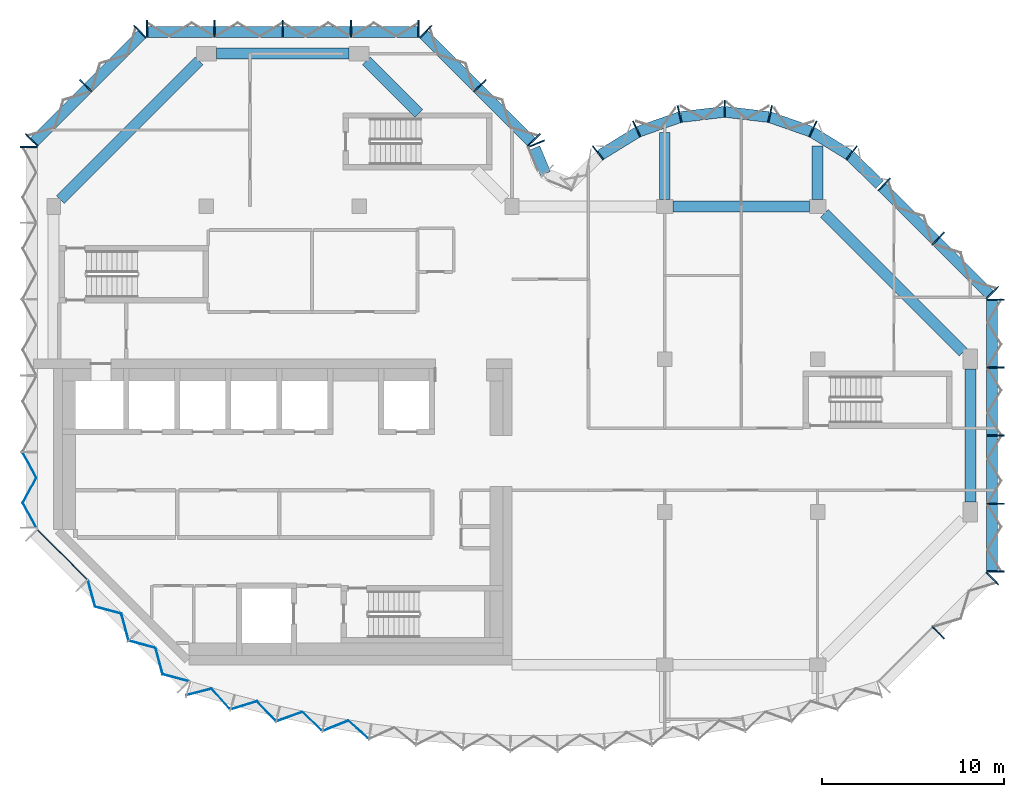
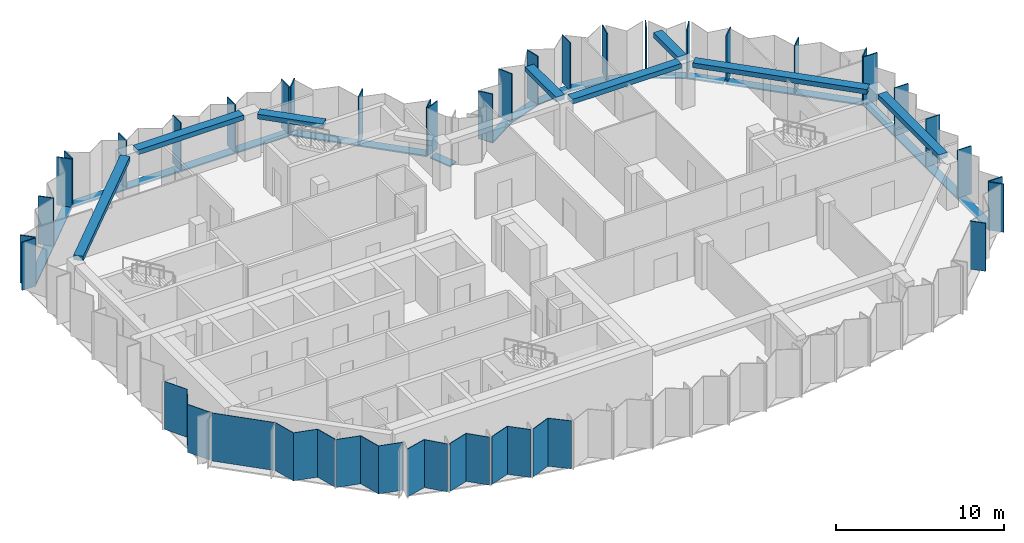
# One storey, part 2 of 10: 43 members, 8 beams, 8 plates, 11 elements without a shape of their own.
"""IFC4 building model written with IfcOpenShell, lengths in metres."""

from ifc_helpers import new_model, si_unit, direction, frame, origin, origin_2d, place, context, subcontext, project, spatial, polyline, rectangle, outline, extrude, material, layer, layer_set, material_profile, profile_set, type_object, element, aggregate, save


model = new_model("IFC4")

# Units and contexts
model_context = context("Model", 3, precision=1e-05, world=origin(), true_north=direction((0.0, 1.0)))
body_context = subcontext(model_context, "Body", "Model", "MODEL_VIEW")
ifc_project = project(units=[si_unit("LENGTHUNIT", "METRE"), si_unit("AREAUNIT", "SQUARE_METRE"), si_unit("VOLUMEUNIT", "CUBIC_METRE"), si_unit("PLANEANGLEUNIT", "RADIAN"), si_unit("MASSUNIT", "GRAM", prefix="KILO")], contexts=[model_context])

# Site, building, storey
site_placement = place(None, origin())
site = spatial("IfcSite", under=ifc_project, at=site_placement, CompositionType="ELEMENT")
building_placement = place(site_placement, origin())
building = spatial("IfcBuilding", under=site, at=building_placement, Name="Brevane Broadcast Tower", CompositionType="ELEMENT")
storey_placement = place(building_placement, frame((0.0, 0.0, 230.10009765625)))
storey = spatial("IfcBuildingStorey", under=building, at=storey_placement, Name="L58", CompositionType="ELEMENT", Elevation=230.10009765625)

# Curtain wall, members
ifc_material_1 = material(Name="Aluminium 6063-T6 bronze anodised", Category="aluminium")
curtain_wall_type = type_object("IfcCurtainWallType", Name="CW-1 curtain wall", PredefinedType="NOTDEFINED", material=ifc_material_1)
curtain_wall_1_placement = place(storey_placement, origin())
curtain_wall_1 = element("IfcCurtainWall", 1, at=curtain_wall_1_placement, inside=storey, type_object=curtain_wall_type, Name="CW-1 typical tilted unit L58 south-east chamfer", PredefinedType="NOTDEFINED")
ifc_material_profile_1 = material_profile(ifc_material_1, rectangle(XDim=0.949951171875, YDim=0.070068359375, at=origin_2d()), Name="RECT 70x950")
ifc_profile_set_1 = profile_set([ifc_material_profile_1], Name="Aluminium 6063-T6 bronze anodised")
member_type_1 = type_object("IfcMemberType", Name="CW-1 mullion 70x950", PredefinedType="MULLION", material=ifc_profile_set_1)
member_1_placement = place(storey_placement, frame((48.635986328125, 1.76416015625, -0.150146484375), z_axis=(0.0, 0.0, 1.0), x_axis=(-0.707106781187, 0.707106781187, 0.0)))
member_1 = element("IfcMember", 2, at=member_1_placement, type_object=member_type_1, Name="CW-1 mullion", PredefinedType="MULLION", context=body_context, shape_type="SweptSolid", body=[
    extrude(rectangle(XDim=0.949951171875, YDim=0.070068359375, at=origin_2d()), origin(), (0.0, 0.0, 1.0), 3.5),
])
member_2_placement = place(storey_placement, frame((51.611083984375, 4.7392578125, -0.150146484375), z_axis=(0.0, 0.0, 1.0), x_axis=(-0.707106781187, 0.707106781187, 0.0)))
member_2 = element("IfcMember", 3, at=member_2_placement, type_object=member_type_1, Name="CW-1 mullion", PredefinedType="MULLION", context=body_context, shape_type="SweptSolid", body=[
    extrude(rectangle(XDim=0.949951171875, YDim=0.070068359375, at=origin_2d()), origin(), (0.0, 0.0, 1.0), 3.5),
])
aggregate(curtain_wall_1, [member_1, member_2])

curtain_wall_2_placement = place(storey_placement, origin())
curtain_wall_2 = element("IfcCurtainWall", 4, at=curtain_wall_2_placement, inside=storey, type_object=curtain_wall_type, Name="CW-1 typical tilted unit L58 east end", PredefinedType="NOTDEFINED")
member_3_placement = place(storey_placement, frame((51.77490234375, 5.135009765625, -0.150146484375), z_axis=(0.0, 0.0, 1.0), x_axis=(-1.0, 0.0, 0.0)))
member_3 = element("IfcMember", 5, at=member_3_placement, type_object=member_type_1, Name="CW-1 mullion", PredefinedType="MULLION", context=body_context, shape_type="SweptSolid", body=[
    extrude(rectangle(XDim=0.949951171875, YDim=0.070068359375, at=origin_2d()), origin(), (0.0, 0.0, 1.0), 3.5),
])
member_4_placement = place(storey_placement, frame((51.77490234375, 8.85009765625, -0.150146484375), z_axis=(0.0, 0.0, 1.0), x_axis=(-1.0, 0.0, 0.0)))
member_4 = element("IfcMember", 6, at=member_4_placement, type_object=member_type_1, Name="CW-1 mullion", PredefinedType="MULLION", context=body_context, shape_type="SweptSolid", body=[
    extrude(rectangle(XDim=0.949951171875, YDim=0.070068359375, at=origin_2d()), origin(), (0.0, 0.0, 1.0), 3.5),
])
member_5_placement = place(storey_placement, frame((51.77490234375, 12.60009765625, -0.150146484375), z_axis=(0.0, 0.0, 1.0), x_axis=(-1.0, 0.0, 0.0)))
member_5 = element("IfcMember", 7, at=member_5_placement, type_object=member_type_1, Name="CW-1 mullion", PredefinedType="MULLION", context=body_context, shape_type="SweptSolid", body=[
    extrude(rectangle(XDim=0.949951171875, YDim=0.070068359375, at=origin_2d()), origin(), (0.0, 0.0, 1.0), 3.5),
])
member_6_placement = place(storey_placement, frame((51.77490234375, 16.35009765625, -0.150146484375), z_axis=(0.0, 0.0, 1.0), x_axis=(-1.0, 0.0, 0.0)))
member_6 = element("IfcMember", 8, at=member_6_placement, type_object=member_type_1, Name="CW-1 mullion", PredefinedType="MULLION", context=body_context, shape_type="SweptSolid", body=[
    extrude(rectangle(XDim=0.949951171875, YDim=0.070068359375, at=origin_2d()), origin(), (0.0, 0.0, 1.0), 3.5),
])
member_7_placement = place(storey_placement, frame((51.77490234375, 20.06494140625, -0.150146484375), z_axis=(0.0, 0.0, 1.0), x_axis=(-1.0, 0.0, 0.0)))
member_7 = element("IfcMember", 9, at=member_7_placement, type_object=member_type_1, Name="CW-1 mullion", PredefinedType="MULLION", context=body_context, shape_type="SweptSolid", body=[
    extrude(rectangle(XDim=0.949951171875, YDim=0.070068359375, at=origin_2d()), origin(), (0.0, 0.0, 1.0), 3.5),
])

curtain_wall_3_placement = place(storey_placement, origin())
curtain_wall_3 = element("IfcCurtainWall", 10, at=curtain_wall_3_placement, inside=storey, type_object=curtain_wall_type, Name="CW-1 typical tilted unit L58 north-east chamfer", PredefinedType="NOTDEFINED")
member_8_placement = place(storey_placement, frame((51.611083984375, 20.460693359375, -0.150146484375), z_axis=(0.0, 0.0, 1.0), x_axis=(-0.707106781187, -0.707106781187, 0.0)))
member_8 = element("IfcMember", 11, at=member_8_placement, type_object=member_type_1, Name="CW-1 mullion", PredefinedType="MULLION", context=body_context, shape_type="SweptSolid", body=[
    extrude(rectangle(XDim=0.949951171875, YDim=0.070068359375, at=origin_2d()), origin(), (0.0, 0.0, 1.0), 3.5),
])
member_9_placement = place(storey_placement, frame((48.635986328125, 23.435791015625, -0.150146484375), z_axis=(0.0, 0.0, 1.0), x_axis=(-0.707106781187, -0.707106781187, 0.0)))
member_9 = element("IfcMember", 12, at=member_9_placement, type_object=member_type_1, Name="CW-1 mullion", PredefinedType="MULLION", context=body_context, shape_type="SweptSolid", body=[
    extrude(rectangle(XDim=0.949951171875, YDim=0.070068359375, at=origin_2d()), origin(), (0.0, 0.0, 1.0), 3.5),
])
member_10_placement = place(storey_placement, frame((45.66064453125, 26.4111328125, -0.150146484375), z_axis=(0.0, 0.0, 1.0), x_axis=(-0.707106781187, -0.707106781187, 0.0)))
member_10 = element("IfcMember", 13, at=member_10_placement, type_object=member_type_1, Name="CW-1 mullion", PredefinedType="MULLION", context=body_context, shape_type="SweptSolid", body=[
    extrude(rectangle(XDim=0.949951171875, YDim=0.070068359375, at=origin_2d()), origin(), (0.0, 0.0, 1.0), 3.5),
])

curtain_wall_4_placement = place(storey_placement, origin())
curtain_wall_4 = element("IfcCurtainWall", 14, at=curtain_wall_4_placement, inside=storey, type_object=curtain_wall_type, Name="CW-1 typical tilted unit L58 east bow", PredefinedType="NOTDEFINED")
member_11_placement = place(storey_placement, frame((43.8720703125, 28.1455078125, -0.150146484375), z_axis=(0.0, 0.0, 1.0), x_axis=(-0.614769698862, -0.788706673841, 0.0)))
member_11 = element("IfcMember", 15, at=member_11_placement, type_object=member_type_1, Name="CW-1 mullion", PredefinedType="MULLION", context=body_context, shape_type="SweptSolid", body=[
    extrude(rectangle(XDim=0.949951171875, YDim=0.070068359375, at=origin_2d()), origin(), (0.0, 0.0, 1.0), 3.5),
])
member_12_placement = place(storey_placement, frame((41.746826171875, 29.4580078125, -0.150146484375), z_axis=(0.0, 0.0, 1.0), x_axis=(-0.429933580394, -0.902860518823, 0.0)))
member_12 = element("IfcMember", 16, at=member_12_placement, type_object=member_type_1, Name="CW-1 mullion", PredefinedType="MULLION", context=body_context, shape_type="SweptSolid", body=[
    extrude(rectangle(XDim=0.949951171875, YDim=0.070068359375, at=origin_2d()), origin(), (0.0, 0.0, 1.0), 3.5),
])
member_13_placement = place(storey_placement, frame((39.38818359375, 30.28076171875, -0.150146484375), z_axis=(0.0, 0.0, 1.0), x_axis=(-0.224806535479, -0.974403418306, 0.0)))
member_13 = element("IfcMember", 17, at=member_13_placement, type_object=member_type_1, Name="CW-1 mullion", PredefinedType="MULLION", context=body_context, shape_type="SweptSolid", body=[
    extrude(rectangle(XDim=0.949951171875, YDim=0.070068359375, at=origin_2d()), origin(), (0.0, 0.0, 1.0), 3.5),
])
member_14_placement = place(storey_placement, frame((36.89990234375, 30.574951171875, -0.150146484375), z_axis=(0.0, 0.0, 1.0), x_axis=(0.0, -1.0, 0.0)))
member_14 = element("IfcMember", 18, at=member_14_placement, type_object=member_type_1, Name="CW-1 mullion", PredefinedType="MULLION", context=body_context, shape_type="SweptSolid", body=[
    extrude(rectangle(XDim=0.949951171875, YDim=0.070068359375, at=origin_2d()), origin(), (0.0, 0.0, 1.0), 3.5),
])
member_15_placement = place(storey_placement, frame((34.411865234375, 30.28076171875, -0.150146484375), z_axis=(0.0, 0.0, 1.0), x_axis=(0.224806535479, -0.974403418306, 0.0)))
member_15 = element("IfcMember", 19, at=member_15_placement, type_object=member_type_1, Name="CW-1 mullion", PredefinedType="MULLION", context=body_context, shape_type="SweptSolid", body=[
    extrude(rectangle(XDim=0.949951171875, YDim=0.070068359375, at=origin_2d()), origin(), (0.0, 0.0, 1.0), 3.5),
])
member_16_placement = place(storey_placement, frame((32.05322265625, 29.4580078125, -0.150146484375), z_axis=(0.0, 0.0, 1.0), x_axis=(0.429933580394, -0.902860518823, 0.0)))
member_16 = element("IfcMember", 20, at=member_16_placement, type_object=member_type_1, Name="CW-1 mullion", PredefinedType="MULLION", context=body_context, shape_type="SweptSolid", body=[
    extrude(rectangle(XDim=0.949951171875, YDim=0.070068359375, at=origin_2d()), origin(), (0.0, 0.0, 1.0), 3.5),
])
member_17_placement = place(storey_placement, frame((29.927978515625, 28.1455078125, -0.150146484375), z_axis=(0.0, 0.0, 1.0), x_axis=(0.614769698862, -0.788706673841, 0.0)))
member_17 = element("IfcMember", 21, at=member_17_placement, type_object=member_type_1, Name="CW-1 mullion", PredefinedType="MULLION", context=body_context, shape_type="SweptSolid", body=[
    extrude(rectangle(XDim=0.949951171875, YDim=0.070068359375, at=origin_2d()), origin(), (0.0, 0.0, 1.0), 3.5),
])

# Curtain wall, member
curtain_wall_5_placement = place(storey_placement, origin())
curtain_wall_5 = element("IfcCurtainWall", 22, at=curtain_wall_5_placement, inside=storey, type_object=curtain_wall_type, Name="CW-1 typical tilted unit L58 inner corner", PredefinedType="NOTDEFINED")
member_18_placement = place(storey_placement, frame((26.55224609375, 28.6494140625, -0.150146484375), z_axis=(0.0, 0.0, 1.0), x_axis=(-0.923879532511, -0.382683432365, 0.0)))
member_18 = element("IfcMember", 23, at=member_18_placement, type_object=member_type_1, Name="CW-1 mullion", PredefinedType="MULLION", context=body_context, shape_type="SweptSolid", body=[
    extrude(rectangle(XDim=0.949951171875, YDim=0.070068359375, at=origin_2d()), origin(), (0.0, 0.0, 1.0), 3.5),
])

# Curtain wall, members
curtain_wall_6_placement = place(storey_placement, origin())
curtain_wall_6 = element("IfcCurtainWall", 24, at=curtain_wall_6_placement, inside=storey, type_object=curtain_wall_type, Name="CW-1 typical tilted unit L58 north arm north-east chamfer", PredefinedType="NOTDEFINED")
member_19_placement = place(storey_placement, frame((26.4111328125, 28.860595703125, -0.150146484375), z_axis=(0.0, 0.0, 1.0), x_axis=(-0.707106781187, -0.707106781187, 0.0)))
member_19 = element("IfcMember", 25, at=member_19_placement, type_object=member_type_1, Name="CW-1 mullion", PredefinedType="MULLION", context=body_context, shape_type="SweptSolid", body=[
    extrude(rectangle(XDim=0.949951171875, YDim=0.070068359375, at=origin_2d()), origin(), (0.0, 0.0, 1.0), 3.5),
])
member_20_placement = place(storey_placement, frame((23.435791015625, 31.8359375, -0.150146484375), z_axis=(0.0, 0.0, 1.0), x_axis=(-0.707106781187, -0.707106781187, 0.0)))
member_20 = element("IfcMember", 26, at=member_20_placement, type_object=member_type_1, Name="CW-1 mullion", PredefinedType="MULLION", context=body_context, shape_type="SweptSolid", body=[
    extrude(rectangle(XDim=0.949951171875, YDim=0.070068359375, at=origin_2d()), origin(), (0.0, 0.0, 1.0), 3.5),
])
member_21_placement = place(storey_placement, frame((20.460693359375, 34.81103515625, -0.150146484375), z_axis=(0.0, 0.0, 1.0), x_axis=(-0.707106781187, -0.707106781187, 0.0)))
member_21 = element("IfcMember", 27, at=member_21_placement, type_object=member_type_1, Name="CW-1 mullion", PredefinedType="MULLION", context=body_context, shape_type="SweptSolid", body=[
    extrude(rectangle(XDim=0.949951171875, YDim=0.070068359375, at=origin_2d()), origin(), (0.0, 0.0, 1.0), 3.5),
])

curtain_wall_7_placement = place(storey_placement, origin())
curtain_wall_7 = element("IfcCurtainWall", 28, at=curtain_wall_7_placement, inside=storey, type_object=curtain_wall_type, Name="CW-1 typical tilted unit L58 north end", PredefinedType="NOTDEFINED")
member_22_placement = place(storey_placement, frame((20.06494140625, 34.97509765625, -0.150146484375), z_axis=(0.0, 0.0, 1.0), x_axis=(0.0, -1.0, 0.0)))
member_22 = element("IfcMember", 29, at=member_22_placement, type_object=member_type_1, Name="CW-1 mullion", PredefinedType="MULLION", context=body_context, shape_type="SweptSolid", body=[
    extrude(rectangle(XDim=0.949951171875, YDim=0.070068359375, at=origin_2d()), origin(), (0.0, 0.0, 1.0), 3.5),
])
member_23_placement = place(storey_placement, frame((16.35009765625, 34.97509765625, -0.150146484375), z_axis=(0.0, 0.0, 1.0), x_axis=(0.0, -1.0, 0.0)))
member_23 = element("IfcMember", 30, at=member_23_placement, type_object=member_type_1, Name="CW-1 mullion", PredefinedType="MULLION", context=body_context, shape_type="SweptSolid", body=[
    extrude(rectangle(XDim=0.949951171875, YDim=0.070068359375, at=origin_2d()), origin(), (0.0, 0.0, 1.0), 3.5),
])
member_24_placement = place(storey_placement, frame((12.60009765625, 34.97509765625, -0.150146484375), z_axis=(0.0, 0.0, 1.0), x_axis=(0.0, -1.0, 0.0)))
member_24 = element("IfcMember", 31, at=member_24_placement, type_object=member_type_1, Name="CW-1 mullion", PredefinedType="MULLION", context=body_context, shape_type="SweptSolid", body=[
    extrude(rectangle(XDim=0.949951171875, YDim=0.070068359375, at=origin_2d()), origin(), (0.0, 0.0, 1.0), 3.5),
])
member_25_placement = place(storey_placement, frame((8.85009765625, 34.97509765625, -0.150146484375), z_axis=(0.0, 0.0, 1.0), x_axis=(0.0, -1.0, 0.0)))
member_25 = element("IfcMember", 32, at=member_25_placement, type_object=member_type_1, Name="CW-1 mullion", PredefinedType="MULLION", context=body_context, shape_type="SweptSolid", body=[
    extrude(rectangle(XDim=0.949951171875, YDim=0.070068359375, at=origin_2d()), origin(), (0.0, 0.0, 1.0), 3.5),
])
member_26_placement = place(storey_placement, frame((5.135009765625, 34.97509765625, -0.150146484375), z_axis=(0.0, 0.0, 1.0), x_axis=(0.0, -1.0, 0.0)))
member_26 = element("IfcMember", 33, at=member_26_placement, type_object=member_type_1, Name="CW-1 mullion", PredefinedType="MULLION", context=body_context, shape_type="SweptSolid", body=[
    extrude(rectangle(XDim=0.949951171875, YDim=0.070068359375, at=origin_2d()), origin(), (0.0, 0.0, 1.0), 3.5),
])

curtain_wall_8_placement = place(storey_placement, origin())
curtain_wall_8 = element("IfcCurtainWall", 34, at=curtain_wall_8_placement, inside=storey, type_object=curtain_wall_type, Name="CW-1 typical tilted unit L58 north-west chamfer", PredefinedType="NOTDEFINED")
member_27_placement = place(storey_placement, frame((4.7392578125, 34.81103515625, -0.150146484375), z_axis=(0.0, 0.0, 1.0), x_axis=(0.707106781187, -0.707106781187, 0.0)))
member_27 = element("IfcMember", 35, at=member_27_placement, type_object=member_type_1, Name="CW-1 mullion", PredefinedType="MULLION", context=body_context, shape_type="SweptSolid", body=[
    extrude(rectangle(XDim=0.949951171875, YDim=0.070068359375, at=origin_2d()), origin(), (0.0, 0.0, 1.0), 3.5),
])
member_28_placement = place(storey_placement, frame((1.76416015625, 31.8359375, -0.150146484375), z_axis=(0.0, 0.0, 1.0), x_axis=(0.707106781187, -0.707106781187, 0.0)))
member_28 = element("IfcMember", 36, at=member_28_placement, type_object=member_type_1, Name="CW-1 mullion", PredefinedType="MULLION", context=body_context, shape_type="SweptSolid", body=[
    extrude(rectangle(XDim=0.949951171875, YDim=0.070068359375, at=origin_2d()), origin(), (0.0, 0.0, 1.0), 3.5),
])
member_29_placement = place(storey_placement, frame((-1.211181640625, 28.860595703125, -0.150146484375), z_axis=(0.0, 0.0, 1.0), x_axis=(0.707106781187, -0.707106781187, 0.0)))
member_29 = element("IfcMember", 37, at=member_29_placement, type_object=member_type_1, Name="CW-1 mullion", PredefinedType="MULLION", context=body_context, shape_type="SweptSolid", body=[
    extrude(rectangle(XDim=0.949951171875, YDim=0.070068359375, at=origin_2d()), origin(), (0.0, 0.0, 1.0), 3.5),
])

# Curtain wall, member
curtain_wall_9_placement = place(storey_placement, origin())
curtain_wall_9 = element("IfcCurtainWall", 38, at=curtain_wall_9_placement, inside=storey, type_object=curtain_wall_type, Name="CW-1 typical tilted unit L58 west face", PredefinedType="NOTDEFINED")
member_30_placement = place(storey_placement, frame((-1.375, 28.465087890625, -0.150146484375), z_axis=(0.0, 0.0, 1.0), x_axis=(1.0, 0.0, 0.0)))
member_30 = element("IfcMember", 39, at=member_30_placement, type_object=member_type_1, Name="CW-1 mullion", PredefinedType="MULLION", context=body_context, shape_type="SweptSolid", body=[
    extrude(rectangle(XDim=0.949951171875, YDim=0.070068359375, at=origin_2d()), origin(), (0.0, 0.0, 1.0), 3.5),
])

# Member
ifc_material_profile_2 = material_profile(ifc_material_1, rectangle(XDim=0.60009765625, YDim=0.10009765625, at=origin_2d()), Name="RECT 100x600")
ifc_profile_set_2 = profile_set([ifc_material_profile_2], Name="Aluminium 6063-T6 bronze anodised")
member_type_2 = type_object("IfcMemberType", Name="CW-1 transom 100x600", PredefinedType="USERDEFINED", material=ifc_profile_set_2)
member_31_placement = place(storey_placement, frame((51.60009765625, 5.10009765625, -0.2001953125), z_axis=(0.0, 1.0, 0.0), x_axis=(-1.0, 0.0, 0.0)))
member_31 = element("IfcMember", 40, at=member_31_placement, type_object=member_type_2, Name="CW-1 transom", ObjectType="TRANSOM", PredefinedType="USERDEFINED", context=body_context, shape_type="SweptSolid", body=[
    extrude(rectangle(XDim=0.60009765625, YDim=0.10009765625, at=origin_2d()), origin(), (0.0, 0.0, 1.0), 15.0),
])

aggregate(curtain_wall_2, [member_3, member_4, member_5, member_6, member_7, member_31])

member_32_placement = place(storey_placement, frame((51.51220703125, 20.31201171875, -0.2001953125), z_axis=(-0.707106781187, 0.707106781187, 0.0), x_axis=(-0.707106781187, -0.707106781187, 0.0)))
member_32 = element("IfcMember", 41, at=member_32_placement, type_object=member_type_2, Name="CW-1 transom", ObjectType="TRANSOM", PredefinedType="USERDEFINED", context=body_context, shape_type="SweptSolid", body=[
    extrude(rectangle(XDim=0.60009765625, YDim=0.10009765625, at=origin_2d()), origin(), (0.0, 0.0, 1.0), 8.4853515625),
])

aggregate(curtain_wall_3, [member_8, member_9, member_10, member_32])

member_33_placement = place(storey_placement, frame((45.412841796875, 26.407958984375, -0.2001953125), z_axis=(-0.71724215871, 0.696823999134, 0.0), x_axis=(-0.696823999134, -0.71724215871, 0.0)))
member_33 = element("IfcMember", 42, at=member_33_placement, type_object=member_type_2, Name="CW-1 transom", ObjectType="TRANSOM", PredefinedType="USERDEFINED", context=body_context, shape_type="SweptSolid", body=[
    extrude(rectangle(XDim=0.60009765625, YDim=0.10009765625, at=origin_2d()), origin(), (0.0, 0.0, 1.0), 2.247802734375),
])

member_34_placement = place(storey_placement, frame((43.7421875, 28.023193359375, -0.2001953125), z_axis=(-0.850810063131, 0.525473345162, 0.0), x_axis=(-0.525473345162, -0.850810063131, 0.0)))
member_34 = element("IfcMember", 43, at=member_34_placement, type_object=member_type_2, Name="CW-1 transom", ObjectType="TRANSOM", PredefinedType="USERDEFINED", context=body_context, shape_type="SweptSolid", body=[
    extrude(rectangle(XDim=0.60009765625, YDim=0.10009765625, at=origin_2d()), origin(), (0.0, 0.0, 1.0), 2.39453125),
])

member_35_placement = place(storey_placement, frame((41.63623046875, 29.314208984375, -0.2001953125), z_axis=(-0.944197969542, 0.329378497041, 0.0), x_axis=(-0.329378497041, -0.944197969542, 0.0)))
member_35 = element("IfcMember", 44, at=member_35_placement, type_object=member_type_2, Name="CW-1 transom", ObjectType="TRANSOM", PredefinedType="USERDEFINED", context=body_context, shape_type="SweptSolid", body=[
    extrude(rectangle(XDim=0.60009765625, YDim=0.10009765625, at=origin_2d()), origin(), (0.0, 0.0, 1.0), 2.394775390625),
])

member_36_placement = place(storey_placement, frame((39.30029296875, 30.117431640625, -0.2001953125), z_axis=(-0.993062061831, 0.117591417, 0.0), x_axis=(-0.117591417, -0.993062061831, 0.0)))
member_36 = element("IfcMember", 45, at=member_36_placement, type_object=member_type_2, Name="CW-1 transom", ObjectType="TRANSOM", PredefinedType="USERDEFINED", context=body_context, shape_type="SweptSolid", body=[
    extrude(rectangle(XDim=0.60009765625, YDim=0.10009765625, at=origin_2d()), origin(), (0.0, 0.0, 1.0), 2.39794921875),
])

member_37_placement = place(storey_placement, frame((36.880859375, 30.3994140625, -0.2001953125), z_axis=(-0.993060653805, -0.117603307202, 0.0), x_axis=(0.117603307202, -0.993060653805, 0.0)))
member_37 = element("IfcMember", 46, at=member_37_placement, type_object=member_type_2, Name="CW-1 transom", ObjectType="TRANSOM", PredefinedType="USERDEFINED", context=body_context, shape_type="SweptSolid", body=[
    extrude(rectangle(XDim=0.60009765625, YDim=0.10009765625, at=origin_2d()), origin(), (0.0, 0.0, 1.0), 2.397705078125),
])

member_38_placement = place(storey_placement, frame((34.425048828125, 30.10302734375, -0.2001953125), z_axis=(-0.944197969542, -0.329378497041, 0.0), x_axis=(0.329378497041, -0.944197969542, 0.0)))
member_38 = element("IfcMember", 47, at=member_38_placement, type_object=member_type_2, Name="CW-1 transom", ObjectType="TRANSOM", PredefinedType="USERDEFINED", context=body_context, shape_type="SweptSolid", body=[
    extrude(rectangle(XDim=0.60009765625, YDim=0.10009765625, at=origin_2d()), origin(), (0.0, 0.0, 1.0), 2.394775390625),
])

member_39_placement = place(storey_placement, frame((32.09521484375, 29.281494140625, -0.2001953125), z_axis=(-0.850838211365, -0.525427766759, 0.0), x_axis=(0.525427766759, -0.850838211365, 0.0)))
member_39 = element("IfcMember", 48, at=member_39_placement, type_object=member_type_2, Name="CW-1 transom", ObjectType="TRANSOM", PredefinedType="USERDEFINED", context=body_context, shape_type="SweptSolid", body=[
    extrude(rectangle(XDim=0.60009765625, YDim=0.10009765625, at=origin_2d()), origin(), (0.0, 0.0, 1.0), 2.394775390625),
])

aggregate(curtain_wall_4, [member_11, member_12, member_13, member_14, member_15, member_16, member_17, member_33, member_34, member_35, member_36, member_37, member_38, member_39])

member_40_placement = place(storey_placement, frame((27.039794921875, 27.0, -0.2001953125), z_axis=(-0.382674472816, 0.923883243627, 0.0), x_axis=(-0.923883243627, -0.382674472816, 0.0)))
member_40 = element("IfcMember", 49, at=member_40_placement, type_object=member_type_2, Name="CW-1 transom", ObjectType="TRANSOM", PredefinedType="USERDEFINED", context=body_context, shape_type="SweptSolid", body=[
    extrude(rectangle(XDim=0.60009765625, YDim=0.10009765625, at=origin_2d()), origin(), (0.0, 0.0, 1.0), 1.536865234375),
])

aggregate(curtain_wall_5, [member_18, member_40])

member_41_placement = place(storey_placement, frame((26.31201171875, 28.712158203125, -0.2001953125), z_axis=(-0.707106781187, 0.707106781187, 0.0), x_axis=(-0.707106781187, -0.707106781187, 0.0)))
member_41 = element("IfcMember", 50, at=member_41_placement, type_object=member_type_2, Name="CW-1 transom", ObjectType="TRANSOM", PredefinedType="USERDEFINED", context=body_context, shape_type="SweptSolid", body=[
    extrude(rectangle(XDim=0.60009765625, YDim=0.10009765625, at=origin_2d()), origin(), (0.0, 0.0, 1.0), 8.4853515625),
])

aggregate(curtain_wall_6, [member_19, member_20, member_21, member_41])

member_42_placement = place(storey_placement, frame((20.10009765625, 34.800048828125, -0.2001953125), z_axis=(-1.0, 0.0, 0.0), x_axis=(0.0, -1.0, 0.0)))
member_42 = element("IfcMember", 51, at=member_42_placement, type_object=member_type_2, Name="CW-1 transom", ObjectType="TRANSOM", PredefinedType="USERDEFINED", context=body_context, shape_type="SweptSolid", body=[
    extrude(rectangle(XDim=0.60009765625, YDim=0.10009765625, at=origin_2d()), origin(), (0.0, 0.0, 1.0), 15.0),
])

aggregate(curtain_wall_7, [member_22, member_23, member_24, member_25, member_26, member_42])

member_43_placement = place(storey_placement, frame((4.887939453125, 34.712158203125, -0.2001953125), z_axis=(-0.707106781187, -0.707106781187, 0.0), x_axis=(0.707106781187, -0.707106781187, 0.0)))
member_43 = element("IfcMember", 52, at=member_43_placement, type_object=member_type_2, Name="CW-1 transom", ObjectType="TRANSOM", PredefinedType="USERDEFINED", context=body_context, shape_type="SweptSolid", body=[
    extrude(rectangle(XDim=0.60009765625, YDim=0.10009765625, at=origin_2d()), origin(), (0.0, 0.0, 1.0), 8.4853515625),
])

aggregate(curtain_wall_8, [member_27, member_28, member_29, member_43])

# Beams
ifc_material_2 = material(Name="Concrete C40/50", Category="concrete")
ifc_material_profile_3 = material_profile(ifc_material_2, rectangle(XDim=0.60009765625, YDim=0.35009765625, at=origin_2d()), Name="RC 600x350")
ifc_profile_set_3 = profile_set([ifc_material_profile_3], Name="Concrete C40/50")
beam_type_1 = type_object("IfcBeamType", Name="RC BRACKET BEAM 600x350 C40/50", PredefinedType="BEAM", material=ifc_profile_set_3)
beam_1_placement = place(storey_placement, frame((33.60009765625, 25.574951171875, 3.1748046875), z_axis=(0.0, 1.0, 0.0), x_axis=(-1.0, 0.0, 0.0)))
element("IfcBeam", 53, at=beam_1_placement, inside=storey, type_object=beam_type_1, Name="EB2 L58-2", PredefinedType="BEAM", context=body_context, shape_type="SweptSolid", body=[
    extrude(rectangle(XDim=0.60009765625, YDim=0.35009765625, at=origin_2d()), origin(), (0.0, 0.0, 1.0), 3.68701171875),
])
beam_2_placement = place(storey_placement, frame((42.0, 25.574951171875, 3.1748046875), z_axis=(0.0, 1.0, 0.0), x_axis=(-1.0, 0.0, 0.0)))
element("IfcBeam", 54, at=beam_2_placement, inside=storey, type_object=beam_type_1, Name="EB2 L58-4", PredefinedType="BEAM", context=body_context, shape_type="SweptSolid", body=[
    extrude(rectangle(XDim=0.60009765625, YDim=0.35009765625, at=origin_2d()), origin(), (0.0, 0.0, 1.0), 2.9365234375),
])
ifc_material_profile_4 = material_profile(ifc_material_2, rectangle(XDim=0.60009765625, YDim=0.35009765625, at=origin_2d()), Name="RC 600x350")
ifc_profile_set_4 = profile_set([ifc_material_profile_4], Name="Concrete C40/50")
beam_type_2 = type_object("IfcBeamType", Name="RC SPANDREL BEAM 600x350 C40/50", PredefinedType="SPANDREL", material=ifc_profile_set_4)
beam_3_placement = place(storey_placement, frame((50.39990234375, 8.949951171875, 3.1748046875), z_axis=(0.0, 1.0, 0.0), x_axis=(-1.0, 0.0, 0.0)))
element("IfcBeam", 55, at=beam_3_placement, inside=storey, type_object=beam_type_2, Name="EB1 L58-4", PredefinedType="SPANDREL", context=body_context, shape_type="SweptSolid", body=[
    extrude(rectangle(XDim=0.60009765625, YDim=0.35009765625, at=origin_2d()), origin(), (0.0, 0.0, 1.0), 7.300048828125),
])
beam_4_placement = place(storey_placement, frame((50.0, 17.199951171875, 3.1748046875), z_axis=(-0.707106781187, 0.707106781187, 0.0), x_axis=(-0.707106781187, -0.707106781187, 0.0)))
element("IfcBeam", 56, at=beam_4_placement, inside=storey, type_object=beam_type_2, Name="EB1 L58-5", PredefinedType="SPANDREL", context=body_context, shape_type="SweptSolid", body=[
    extrude(rectangle(XDim=0.60009765625, YDim=0.35009765625, at=origin_2d()), origin(), (0.0, 0.0, 1.0), 10.783447265625),
])
beam_5_placement = place(storey_placement, frame((41.550048828125, 25.199951171875, 3.1748046875), z_axis=(-1.0, 0.0, 0.0), x_axis=(0.0, -1.0, 0.0)))
element("IfcBeam", 57, at=beam_5_placement, inside=storey, type_object=beam_type_2, Name="EB1 L58-6", PredefinedType="SPANDREL", context=body_context, shape_type="SweptSolid", body=[
    extrude(rectangle(XDim=0.60009765625, YDim=0.35009765625, at=origin_2d()), origin(), (0.0, 0.0, 1.0), 7.5),
])
beam_6_placement = place(storey_placement, frame((20.080078125, 30.320068359375, 3.1748046875), z_axis=(-0.707136751593, 0.70707680951, 0.0), x_axis=(-0.70707680951, -0.707136751593, 0.0)))
element("IfcBeam", 58, at=beam_6_placement, inside=storey, type_object=beam_type_2, Name="EB1 L58-12", PredefinedType="SPANDREL", context=body_context, shape_type="SweptSolid", body=[
    extrude(rectangle(XDim=0.60009765625, YDim=0.35009765625, at=origin_2d()), origin(), (0.0, 0.0, 1.0), 4.072998046875),
])
beam_7_placement = place(storey_placement, frame((16.25, 33.60009765625, 3.1748046875), z_axis=(-1.0, 0.0, 0.0), x_axis=(0.0, -1.0, 0.0)))
element("IfcBeam", 59, at=beam_7_placement, inside=storey, type_object=beam_type_2, Name="EB1 L58-9", PredefinedType="SPANDREL", context=body_context, shape_type="SweptSolid", body=[
    extrude(rectangle(XDim=0.60009765625, YDim=0.35009765625, at=origin_2d()), origin(), (0.0, 0.0, 1.0), 7.300048828125),
])
beam_8_placement = place(storey_placement, frame((8.0, 33.199951171875, 3.1748046875), z_axis=(-0.707106781187, -0.707106781187, 0.0), x_axis=(0.707106781187, -0.707106781187, 0.0)))
element("IfcBeam", 60, at=beam_8_placement, inside=storey, type_object=beam_type_2, Name="EB1 L58-10", PredefinedType="SPANDREL", context=body_context, shape_type="SweptSolid", body=[
    extrude(rectangle(XDim=0.60009765625, YDim=0.35009765625, at=origin_2d()), origin(), (0.0, 0.0, 1.0), 10.783447265625),
])

# Curtain wall, plates
curtain_wall_10_placement = place(storey_placement, origin())
curtain_wall_10 = element("IfcCurtainWall", 61, at=curtain_wall_10_placement, inside=storey, type_object=curtain_wall_type, Name="CW-1 typical tilted unit L58 south bow", PredefinedType="NOTDEFINED")
ifc_material_3 = material(Name="Laminated glass bronze-tinted", Category="glass")
ifc_layer = layer(ifc_material_3, 0.0400390625)
ifc_layer_set = layer_set([ifc_layer], Name="CW tall glass panel 40")
plate_type = type_object("IfcPlateType", Name="CW tall glass panel 40", PredefinedType="CURTAIN_PANEL", material=ifc_layer_set)
plate_1_placement = place(storey_placement, frame((0.0, 0.0, -0.150146484375)))
plate_1 = element("IfcPlate", 62, at=plate_1_placement, type_object=plate_type, Name="CW-1 glass panel", PredefinedType="CURTAIN_PANEL", context=body_context, shape_type="SweptSolid", body=[
    extrude(outline(polyline([(7.312255859375, -1.643310546875), (7.298583984375, -1.68798828125), (8.68603515625, -1.334716796875), (9.65771484375, -2.421875), (9.670654296875, -2.376220703125), (8.69970703125, -1.289794921875), (7.312255859375, -1.643310546875)])), origin(), (0.0, 0.0, 1.0), 3.5),
])
plate_2_placement = place(storey_placement, frame((0.0, 0.0, -0.150146484375)))
plate_2 = element("IfcPlate", 63, at=plate_2_placement, type_object=plate_type, Name="CW-1 glass panel", PredefinedType="CURTAIN_PANEL", context=body_context, shape_type="SweptSolid", body=[
    extrude(outline(polyline([(9.81494140625, -2.407470703125), (9.80224609375, -2.453369140625), (11.174560546875, -2.030029296875), (12.17236328125, -3.069580078125), (12.18310546875, -3.023193359375), (11.186279296875, -1.984619140625), (9.81494140625, -2.407470703125)])), origin(), (0.0, 0.0, 1.0), 3.5),
])
plate_3_placement = place(storey_placement, frame((0.0, 0.0, -0.150146484375)))
plate_3 = element("IfcPlate", 64, at=plate_3_placement, type_object=plate_type, Name="CW-1 glass panel", PredefinedType="CURTAIN_PANEL", context=body_context, shape_type="SweptSolid", body=[
    extrude(outline(polyline([(12.328125, -3.051513671875), (12.317138671875, -3.09765625), (13.67138671875, -2.615966796875), (14.711669921875, -3.611328125), (14.720458984375, -3.564453125), (13.68115234375, -2.570068359375), (12.328125, -3.051513671875)])), origin(), (0.0, 0.0, 1.0), 3.5),
])
plate_4_placement = place(storey_placement, frame((0.0, 0.0, -0.150146484375)))
plate_4 = element("IfcPlate", 65, at=plate_4_placement, type_object=plate_type, Name="CW-1 glass panel", PredefinedType="CURTAIN_PANEL", context=body_context, shape_type="SweptSolid", body=[
    extrude(outline(polyline([(14.865966796875, -3.58984375), (14.85693359375, -3.63671875), (16.190185546875, -3.09716796875), (17.271240234375, -4.04638671875), (17.2783203125, -3.99951171875), (16.197998046875, -3.05078125), (14.865966796875, -3.58984375)])), origin(), (0.0, 0.0, 1.0), 3.5),
])
aggregate(curtain_wall_10, [plate_1, plate_2, plate_3, plate_4])

# Plate
plate_5_placement = place(storey_placement, frame((0.0, 0.0, -0.150146484375)))
plate_5 = element("IfcPlate", 66, at=plate_5_placement, type_object=plate_type, Name="CW-1 glass panel", PredefinedType="CURTAIN_PANEL", context=body_context, shape_type="SweptSolid", body=[
    extrude(outline(polyline([(-1.671630859375, 11.6650390625), (-1.717041015625, 11.6650390625), (-0.97265625, 10.288330078125), (-1.717041015625, 8.91162109375), (-0.97265625, 7.534912109375), (-0.92724609375, 7.534912109375), (-1.671630859375, 8.91162109375), (-0.92724609375, 10.288330078125), (-1.671630859375, 11.6650390625)])), origin(), (0.0, 0.0, 1.0), 3.5),
])

aggregate(curtain_wall_9, [member_30, plate_5])

# Curtain wall, plates
curtain_wall_11_placement = place(storey_placement, origin())
curtain_wall_11 = element("IfcCurtainWall", 67, at=curtain_wall_11_placement, inside=storey, type_object=curtain_wall_type, Name="CW-1 typical tilted unit L58 south-west chamfer", PredefinedType="NOTDEFINED")
plate_6_placement = place(storey_placement, frame((0.0, 0.0, -0.150146484375)))
plate_6 = element("IfcPlate", 68, at=plate_6_placement, type_object=plate_type, Name="CW-1 glass panel", PredefinedType="CURTAIN_PANEL", context=body_context, shape_type="SweptSolid", body=[
    extrude(outline(polyline([(-0.896484375, 7.4541015625), (1.85400390625, 4.70361328125), (1.82568359375, 4.67529296875), (-0.9248046875, 7.42578125), (-0.896484375, 7.4541015625)])), origin(), (0.0, 0.0, 1.0), 3.5),
])
plate_7_placement = place(storey_placement, frame((0.0, 0.0, -0.150146484375)))
plate_7 = element("IfcPlate", 69, at=plate_7_placement, type_object=plate_type, Name="CW-1 glass panel", PredefinedType="CURTAIN_PANEL", context=body_context, shape_type="SweptSolid", body=[
    extrude(outline(polyline([(1.90576171875, 4.65625), (1.873046875, 4.62353515625), (2.263671875, 3.180419921875), (3.706787109375, 2.789794921875), (4.09716796875, 1.3466796875), (4.1298828125, 1.37939453125), (3.739501953125, 2.822509765625), (2.296142578125, 3.212890625), (1.90576171875, 4.65625)])), origin(), (0.0, 0.0, 1.0), 3.5),
])
plate_8_placement = place(storey_placement, frame((0.0, 0.0, -0.150146484375)))
plate_8 = element("IfcPlate", 70, at=plate_8_placement, type_object=plate_type, Name="CW-1 glass panel", PredefinedType="CURTAIN_PANEL", context=body_context, shape_type="SweptSolid", body=[
    extrude(outline(polyline([(4.17919921875, 1.329833984375), (4.146728515625, 1.297119140625), (5.58984375, 0.90673828125), (5.98046875, -0.536376953125), (7.423583984375, -0.927001953125), (7.456298828125, -0.894287109375), (6.012939453125, -0.50390625), (5.62255859375, 0.939453125), (4.17919921875, 1.329833984375)])), origin(), (0.0, 0.0, 1.0), 3.5),
])
aggregate(curtain_wall_11, [plate_6, plate_7, plate_8])

save(model, "model.ifc")
